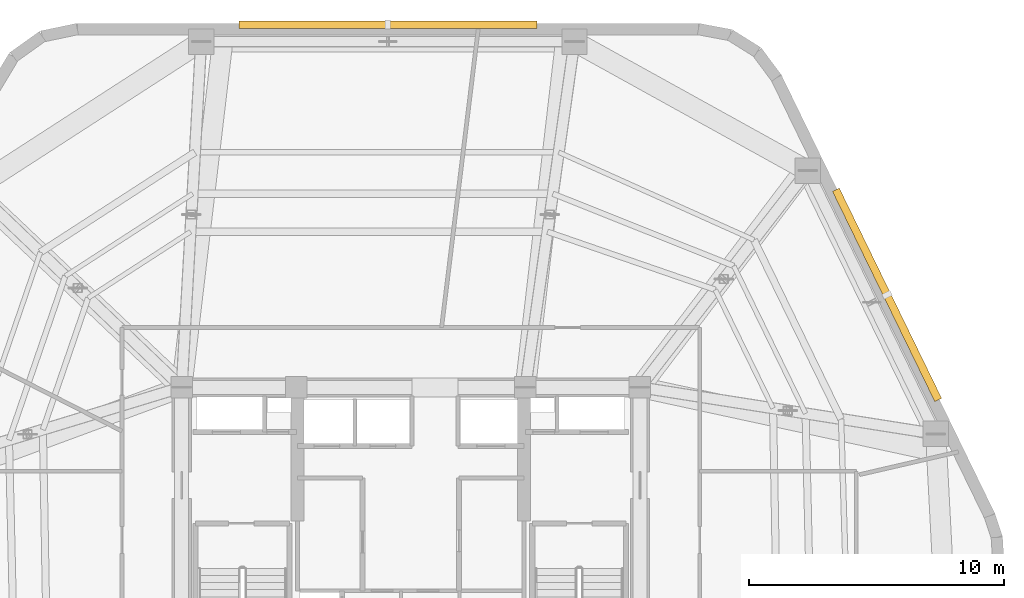
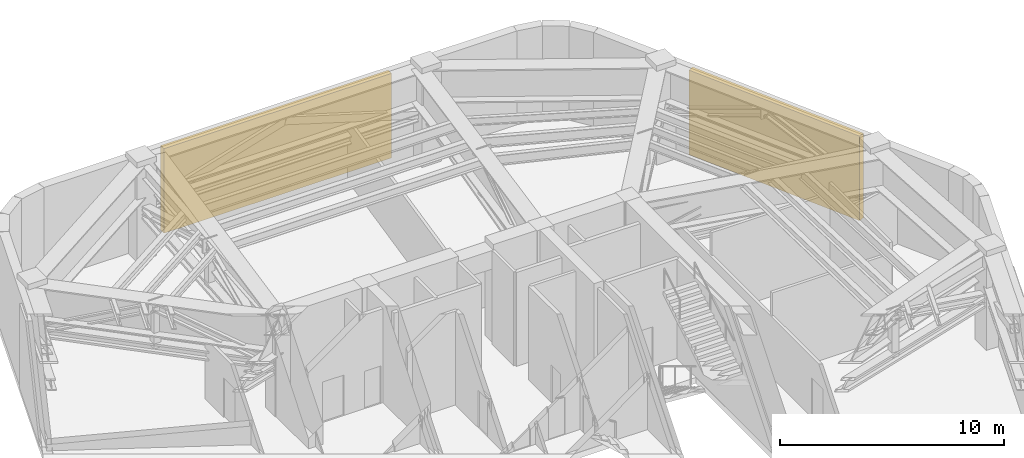
# One storey, part 10 of 10: 2 shading devices.
"""IFC4 building model written with IfcOpenShell, lengths in metres."""

from ifc_helpers import new_model, si_unit, direction, frame, origin, origin_2d, place, context, subcontext, project, spatial, rectangle, extrude, material, layer, layer_set, type_object, element, save


model = new_model("IFC4")

# Units and contexts
model_context = context("Model", 3, precision=1e-05, world=origin(), true_north=direction((0.0, 1.0)))
body_context = subcontext(model_context, "Body", "Model", "MODEL_VIEW")
ifc_project = project(units=[si_unit("LENGTHUNIT", "METRE"), si_unit("AREAUNIT", "SQUARE_METRE"), si_unit("VOLUMEUNIT", "CUBIC_METRE"), si_unit("PLANEANGLEUNIT", "RADIAN"), si_unit("MASSUNIT", "GRAM", prefix="KILO")], contexts=[model_context])

# Site, building, storey
site_placement = place(None, origin())
site = spatial("IfcSite", under=ifc_project, at=site_placement, CompositionType="ELEMENT")
building_placement = place(site_placement, origin())
building = spatial("IfcBuilding", under=site, at=building_placement, Name="Kilnhurst Terrace Hotel", CompositionType="ELEMENT")
storey_placement = place(building_placement, frame((0.0, 0.0, 255.89990234375)))
storey = spatial("IfcBuildingStorey", under=building, at=storey_placement, Name="L64", CompositionType="ELEMENT", Elevation=255.89990234375)

# Shading devices
ifc_material = material(Name="Bronze Anodized Extruded Aluminium Alloy 6063-T6", Category="aluminium")
ifc_layer = layer(ifc_material, 0.300048828125, Name="Bronze Anodized Extruded Aluminium Alloy 6063-T6")
ifc_layer_set = layer_set([ifc_layer], Name="Bronze Anodized Extruded Aluminium Alloy 6063-T6")
shading_device_type = type_object("IfcShadingDeviceType", Name="SHD-LVR-4600", PredefinedType="USERDEFINED", material=ifc_layer_set)
shading_device_1_placement = place(storey_placement, frame((18.708251953125, 11.132080078125, 0.25), z_axis=(0.0, 0.0, 1.0), x_axis=(-0.437743563395, 0.899099868038, 0.0)))
element("IfcShadingDevice", 1, at=shading_device_1_placement, inside=storey, type_object=shading_device_type, Name="L64 Mechanical Intake Storm Louvre F3", ObjectType="LOUVRE", PredefinedType="USERDEFINED", context=body_context, shape_type="SweptSolid", body=[
    extrude(rectangle(XDim=9.18603515625, YDim=0.300048828125, at=origin_2d()), origin(), (0.0, 0.0, 1.0), 4.60009765625),
])
shading_device_2_placement = place(storey_placement, frame((-0.90185546875, 21.75, 0.25), z_axis=(0.0, 0.0, 1.0), x_axis=(-1.0, 0.0, 0.0)))
element("IfcShadingDevice", 2, at=shading_device_2_placement, inside=storey, type_object=shading_device_type, Name="L64 Mechanical Intake Storm Louvre F4", ObjectType="LOUVRE", PredefinedType="USERDEFINED", context=body_context, shape_type="SweptSolid", body=[
    extrude(rectangle(XDim=11.7109375, YDim=0.300048828125, at=origin_2d()), origin(), (0.0, 0.0, 1.0), 4.60009765625),
])

save(model, "model.ifc")
